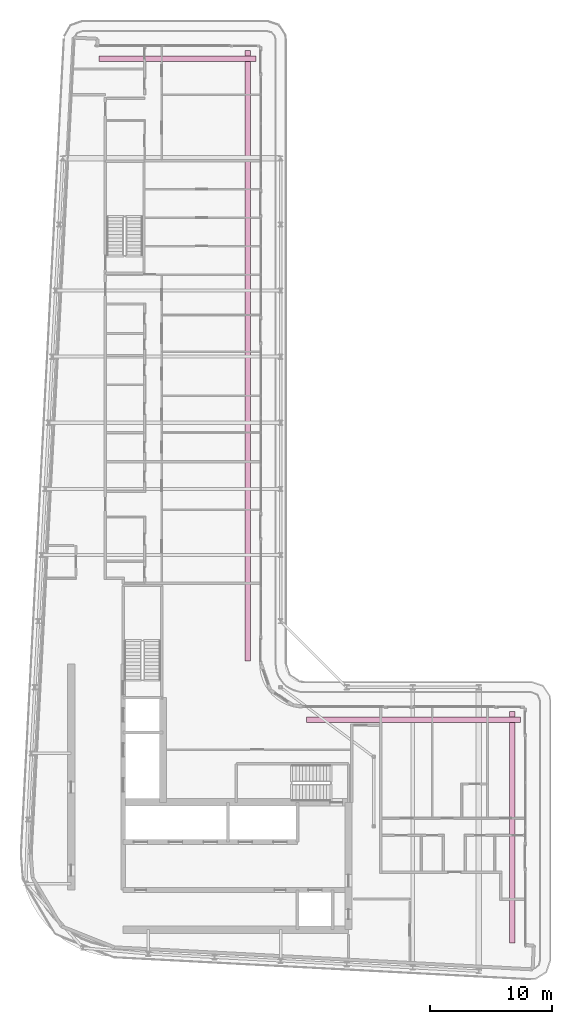
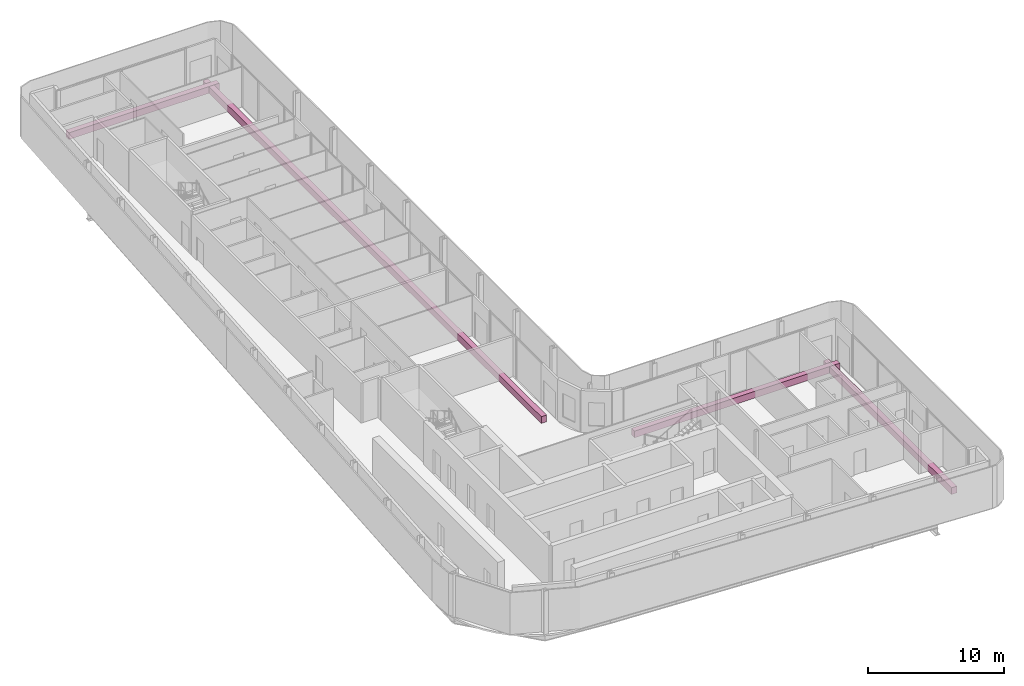
# One storey, part 21 of 21: 4 furniture elements.
"""IFC4 building model written with IfcOpenShell, lengths in metres."""

from ifc_helpers import new_model, si_unit, direction, frame, origin, origin_2d, place, context, subcontext, project, spatial, rectangle, extrude, material, type_object, element, save


model = new_model("IFC4")

# Units and contexts
model_context = context("Model", 3, precision=1e-05, world=origin(), true_north=direction((0.0, 1.0)))
body_context = subcontext(model_context, "Body", "Model", "MODEL_VIEW")
ifc_project = project(units=[si_unit("LENGTHUNIT", "METRE"), si_unit("AREAUNIT", "SQUARE_METRE"), si_unit("VOLUMEUNIT", "CUBIC_METRE"), si_unit("PLANEANGLEUNIT", "RADIAN"), si_unit("MASSUNIT", "GRAM", prefix="KILO")], contexts=[model_context])

# Site, building, storey
site_placement = place(None, origin())
site = spatial("IfcSite", under=ifc_project, at=site_placement, CompositionType="ELEMENT")
building_placement = place(site_placement, origin())
building = spatial("IfcBuilding", under=site, at=building_placement, Name="Kheshtan School and Residences Tower", CompositionType="ELEMENT")
storey_placement = place(building_placement, frame((0.0, 0.0, 294.199951171875)))
storey = spatial("IfcBuildingStorey", under=building, at=storey_placement, Name="L69", CompositionType="ELEMENT", Elevation=294.199951171875)

# Furniture
ifc_material = material(Name="Precast concrete C30/37 in terracotta finish", Category="masonry")
furniture_type = type_object("IfcFurnitureType", Name="Planter trough", AssemblyPlace="NOTDEFINED", PredefinedType="USERDEFINED", material=ifc_material)
furniture_1_placement = place(storey_placement, frame((39.196044921875, 96.925048828125, 0.0), z_axis=(0.0, 0.0, 1.0), x_axis=(1.0, 0.0, 0.0)))
element("IfcFurniture", 1, at=furniture_1_placement, inside=storey, type_object=furniture_type, Name="Planter L69", ObjectType="PLANTER", PredefinedType="USERDEFINED", context=body_context, shape_type="SweptSolid", body=[
    extrude(rectangle(XDim=12.80810546875, YDim=0.449951171875, at=origin_2d()), origin(), (0.0, 0.0, 1.0), 0.60009765625),
])
furniture_2_placement = place(storey_placement, frame((44.925048828125, 72.6650390625, 0.0), z_axis=(0.0, 0.0, 1.0), x_axis=(0.0, -1.0, 0.0)))
element("IfcFurniture", 2, at=furniture_2_placement, inside=storey, type_object=furniture_type, Name="Planter L69", ObjectType="PLANTER", PredefinedType="USERDEFINED", context=body_context, shape_type="SweptSolid", body=[
    extrude(rectangle(XDim=49.8701171875, YDim=0.449951171875, at=origin_2d()), origin(), (0.0, 0.0, 1.0), 0.60009765625),
])
furniture_3_placement = place(storey_placement, frame((58.465087890625, 42.925048828125, 0.0), z_axis=(0.0, 0.0, 1.0), x_axis=(1.0, 0.0, 0.0)))
element("IfcFurniture", 3, at=furniture_3_placement, inside=storey, type_object=furniture_type, Name="Planter L69", ObjectType="PLANTER", PredefinedType="USERDEFINED", context=body_context, shape_type="SweptSolid", body=[
    extrude(rectangle(XDim=17.469970703125, YDim=0.449951171875, at=origin_2d()), origin(), (0.0, 0.0, 1.0), 0.60009765625),
])
furniture_4_placement = place(storey_placement, frame((66.52490234375, 34.159912109375, 0.0), z_axis=(0.0, 0.0, 1.0), x_axis=(0.0, -1.0, 0.0)))
element("IfcFurniture", 4, at=furniture_4_placement, inside=storey, type_object=furniture_type, Name="Planter L69", ObjectType="PLANTER", PredefinedType="USERDEFINED", context=body_context, shape_type="SweptSolid", body=[
    extrude(rectangle(XDim=18.881103515625, YDim=0.449951171875, at=origin_2d()), origin(), (0.0, 0.0, 1.0), 0.60009765625),
])

save(model, "model.ifc")
